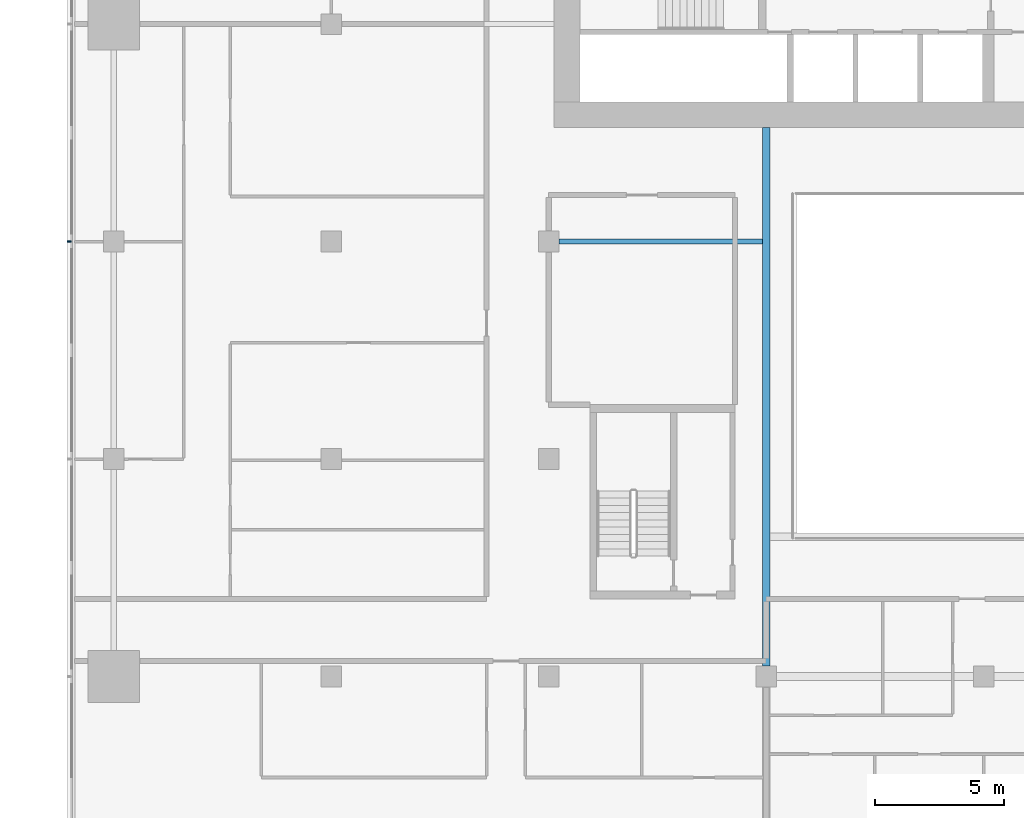
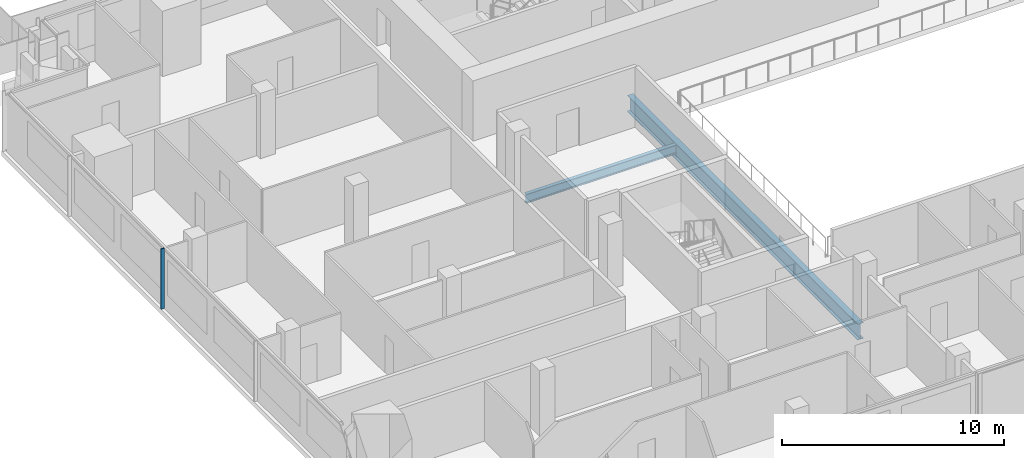
# One storey, part 6 of 30: 2 beams, 1 member, 1 element without a shape of its own.
"""IFC4 building model written with IfcOpenShell, lengths in metres."""

from ifc_helpers import new_model, si_unit, direction, frame, origin, origin_2d, place, context, subcontext, project, spatial, rectangle, i_section, extrude, material, material_profile, profile_set, type_object, element, aggregate, save


model = new_model("IFC4")

# Units and contexts
model_context = context("Model", 3, precision=1e-05, world=origin(), true_north=direction((0.0, 1.0)))
body_context = subcontext(model_context, "Body", "Model", "MODEL_VIEW")
ifc_project = project(units=[si_unit("LENGTHUNIT", "METRE"), si_unit("AREAUNIT", "SQUARE_METRE"), si_unit("VOLUMEUNIT", "CUBIC_METRE"), si_unit("PLANEANGLEUNIT", "RADIAN"), si_unit("MASSUNIT", "GRAM", prefix="KILO")], contexts=[model_context])

# Site, building, storey
site_placement = place(None, origin())
site = spatial("IfcSite", under=ifc_project, at=site_placement, CompositionType="ELEMENT")
building_placement = place(site_placement, origin())
building = spatial("IfcBuilding", under=site, at=building_placement, Name="Saffron Gate Tower", CompositionType="ELEMENT")
storey_placement = place(building_placement, frame((0.0, 0.0, 127.64990234375)))
storey = spatial("IfcBuildingStorey", under=building, at=storey_placement, Name="L30", CompositionType="ELEMENT", Elevation=127.64990234375)

# Beams
ifc_material_1 = material(Name="Structural steel S355", Category="steel")
ifc_material_profile_1 = material_profile(ifc_material_1, i_section(OverallWidth=0.199951171875, OverallDepth=0.5, WebThickness=0.01025390625, FlangeThickness=0.01611328125, FilletRadius=0.02099609375, at=origin_2d()))
ifc_profile_set_1 = profile_set([ifc_material_profile_1], Name="Structural steel S355")
beam_type_1 = type_object("IfcBeamType", Name="B10 IPE 500", PredefinedType="BEAM", material=ifc_profile_set_1)
beam_1_placement = place(storey_placement, frame((67.0, 57.0, -0.52978515625), z_axis=(1.0, 0.0, 0.0), x_axis=(0.0, 1.0, 0.0)))
element("IfcBeam", 1, at=beam_1_placement, inside=storey, type_object=beam_type_1, Name="B10 CORE TIE BEAM", PredefinedType="BEAM", context=body_context, shape_type="SweptSolid", body=[
    extrude(i_section(OverallWidth=0.199951171875, OverallDepth=0.5, WebThickness=0.01025390625, FlangeThickness=0.01611328125, FilletRadius=0.02099609375, at=origin_2d()), origin(), (0.0, 0.0, 1.0), 7.85009765625),
])
ifc_material_profile_2 = material_profile(ifc_material_1, i_section(OverallWidth=0.300048828125, OverallDepth=0.889892578125, WebThickness=0.01611328125, FlangeThickness=0.030029296875, FilletRadius=0.030029296875, at=origin_2d()))
ifc_profile_set_2 = profile_set([ifc_material_profile_2], Name="Structural steel S355")
beam_type_2 = type_object("IfcBeamType", Name="B19 HEA 900", PredefinedType="BEAM", material=ifc_profile_set_2)
beam_2_placement = place(storey_placement, frame((75.0, 40.60009765625, -0.724853515625), z_axis=(0.0, 1.0, 0.0), x_axis=(-1.0, 0.0, 0.0)))
element("IfcBeam", 2, at=beam_2_placement, inside=storey, type_object=beam_type_2, Name="B19 ATRIUM GIRDER", PredefinedType="BEAM", context=body_context, shape_type="SweptSolid", body=[
    extrude(i_section(OverallWidth=0.300048828125, OverallDepth=0.889892578125, WebThickness=0.01611328125, FlangeThickness=0.030029296875, FilletRadius=0.030029296875, at=origin_2d()), origin(), (0.0, 0.0, 1.0), 20.7998046875),
])

# Curtain wall, member
ifc_material_2 = material(Name="Aluminium, bronze anodised", Category="aluminium")
curtain_wall_type = type_object("IfcCurtainWallType", Name="CWS2 curtain wall side facades", PredefinedType="NOTDEFINED", material=ifc_material_2)
curtain_wall_placement = place(storey_placement, origin())
curtain_wall = element("IfcCurtainWall", 3, at=curtain_wall_placement, inside=storey, type_object=curtain_wall_type, Name="CWS2 run 10", PredefinedType="NOTDEFINED")
ifc_material_profile_3 = material_profile(ifc_material_2, rectangle(XDim=0.159912109375, YDim=0.06005859375, at=origin_2d()))
ifc_profile_set_3 = profile_set([ifc_material_profile_3], Name="Aluminium, bronze anodised")
member_type = type_object("IfcMemberType", Name="CWS2 mullion 60x160", PredefinedType="MULLION", material=ifc_profile_set_3)
member_placement = place(storey_placement, frame((48.080078125, 57.0, 0.0), z_axis=(0.0, 0.0, 1.0), x_axis=(1.0, 0.0, 0.0)))
member = element("IfcMember", 4, at=member_placement, type_object=member_type, Name="CWS2 mullion 3", PredefinedType="MULLION", context=body_context, shape_type="SweptSolid", body=[
    extrude(rectangle(XDim=0.159912109375, YDim=0.06005859375, at=origin_2d()), origin(), (0.0, 0.0, 1.0), 3.320068359375),
])
aggregate(curtain_wall, [member])

save(model, "model.ifc")
